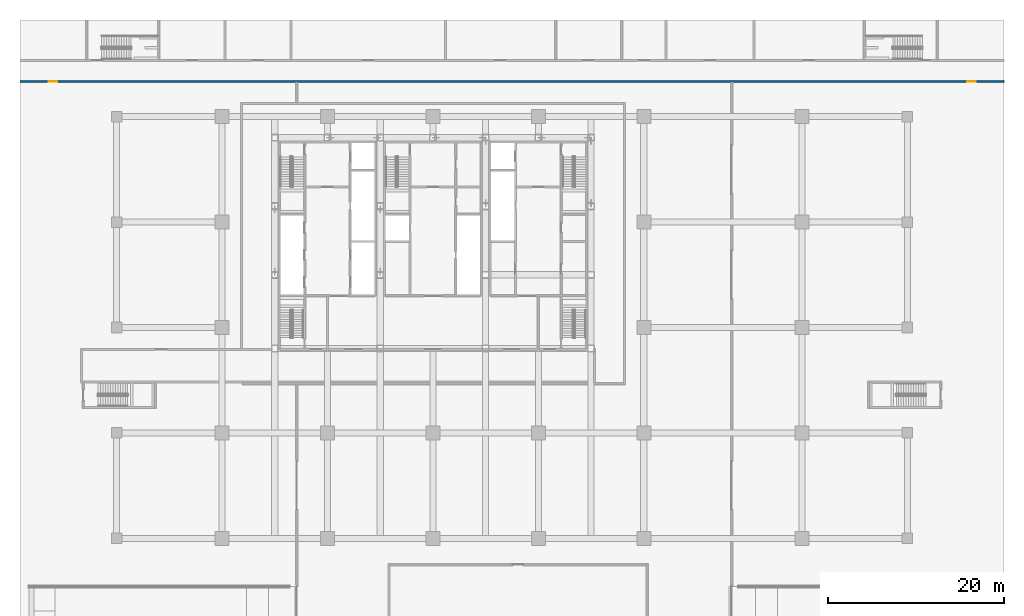
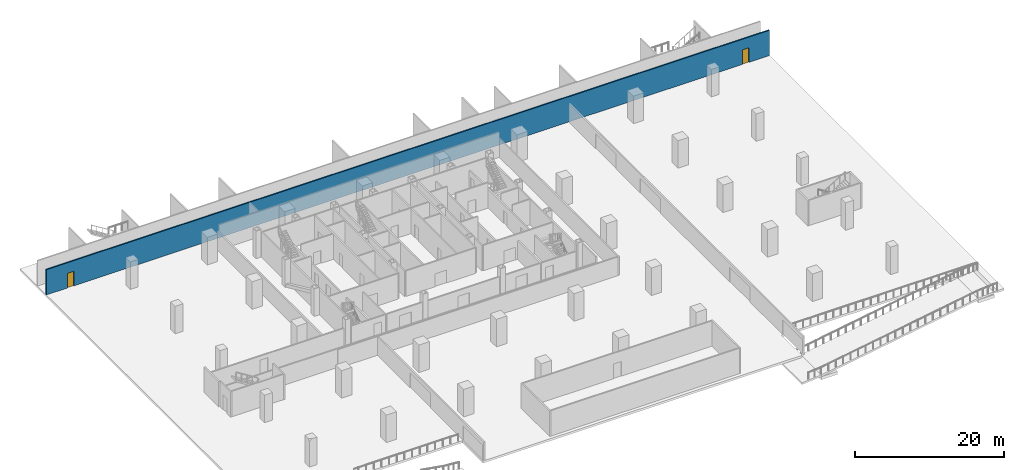
# One storey, part 6 of 15: 2 doors, 1 wall, 2 openings.
"""IFC4 building model written with IfcOpenShell, lengths in metres."""

from ifc_helpers import new_model, si_unit, direction, frame, frame_2d, origin, place, context, subcontext, project, spatial, rectangle, extrude, material, layer, layer_set, type_object, element, fill, save


model = new_model("IFC4")

# Units and contexts
model_context = context("Model", 3, precision=1e-05, world=origin(), true_north=direction((0.0, 1.0)))
body_context = subcontext(model_context, "Body", "Model", "MODEL_VIEW")
ifc_project = project(units=[si_unit("LENGTHUNIT", "METRE"), si_unit("AREAUNIT", "SQUARE_METRE"), si_unit("VOLUMEUNIT", "CUBIC_METRE"), si_unit("PLANEANGLEUNIT", "RADIAN"), si_unit("MASSUNIT", "GRAM", prefix="KILO")], contexts=[model_context])

# Site, building, storey
site_placement = place(None, origin())
site = spatial("IfcSite", under=ifc_project, at=site_placement, CompositionType="ELEMENT")
building_placement = place(site_placement, origin())
building = spatial("IfcBuilding", under=site, at=building_placement, Name="Sorahane Residences", CompositionType="ELEMENT")
storey_placement = place(building_placement, frame((0.0, 0.0, -4.5)))
storey = spatial("IfcBuildingStorey", under=building, at=storey_placement, Name="B1", CompositionType="ELEMENT", Elevation=-4.5)

# Wall, openings, doors
ifc_material_1 = material(Name="Concrete blockwork C20 wall", Category="masonry")
ifc_layer = layer(ifc_material_1, 0.199951171875)
ifc_layer_set = layer_set([ifc_layer], Name="Fire wall 200 EI 120")
wall_type = type_object("IfcWallType", Name="Fire wall 200 EI 120", PredefinedType="SOLIDWALL", material=ifc_layer_set)
wall_placement = place(storey_placement, frame((-23.0, 52.0, 0.0), z_axis=(0.0, 0.0, 1.0), x_axis=(1.0, 0.0, 0.0)))
wall = element("IfcWall", 1, at=wall_placement, inside=storey, type_object=wall_type, Name="B1 fire wall", PredefinedType="SOLIDWALL", context=body_context, shape_type="SweptSolid", body=[
    extrude(rectangle(XDim=112.0, YDim=0.199951171875, at=frame_2d((56.0, 0.0))), origin(), (0.0, 0.0, 1.0), 4.139892578125),
])
opening_1_placement = place(wall_placement, frame((3.25, 0.0, 0.0)))
opening_1 = element("IfcOpeningElement", 2, at=opening_1_placement, cuts=wall, Name="Opening B1-14", PredefinedType="OPENING", context=body_context, shape_type="SweptSolid", body=[
    extrude(rectangle(XDim=1.0, YDim=2.39990234375, at=frame_2d((0.5, 1.199951171875))), frame((0.0, 0.10986328125, 0.0), z_axis=(0.0, -1.0, 0.0), x_axis=(1.0, 0.0, 0.0)), (0.0, 0.0, 1.0), 0.219970703125),
])
opening_2_placement = place(wall_placement, frame((107.800048828125, 0.0, 0.0)))
opening_2 = element("IfcOpeningElement", 3, at=opening_2_placement, cuts=wall, Name="Opening B1-15", PredefinedType="OPENING", context=body_context, shape_type="SweptSolid", body=[
    extrude(rectangle(XDim=1.0, YDim=2.39990234375, at=frame_2d((0.5, 1.199951171875))), frame((0.0, 0.10986328125, 0.0), z_axis=(0.0, -1.0, 0.0), x_axis=(1.0, 0.0, 0.0)), (0.0, 0.0, 1.0), 0.219970703125),
])
ifc_material_2 = material(Name="Steel", Category="steel")
door_type = type_object("IfcDoorType", Name="Fire door 1000x2400 FD60", OperationType="NOTDEFINED", PredefinedType="DOOR", material=ifc_material_2)
door_1_placement = place(opening_1_placement, origin())
door_1 = element("IfcDoor", 4, at=door_1_placement, inside=storey, type_object=door_type, Name="Fire door B1-14", OperationType="SINGLE_SWING_RIGHT", OverallHeight=2.39990234375, OverallWidth=1.0, PredefinedType="DOOR", context=body_context, shape_type="SweptSolid", body=[
    extrude(rectangle(XDim=1.0, YDim=2.39990234375, at=frame_2d((0.5, 1.199951171875))), frame((0.0, 0.02490234375, 0.0), z_axis=(0.0, -1.0, 0.0), x_axis=(1.0, 0.0, 0.0)), (0.0, 0.0, 1.0), 0.050048828125),
])
fill(opening_1, door_1)
door_2_placement = place(opening_2_placement, frame((1.0, 0.0, 0.0), z_axis=(0.0, 0.0, 1.0), x_axis=(-1.0, 0.0, 0.0)))
door_2 = element("IfcDoor", 5, at=door_2_placement, inside=storey, type_object=door_type, Name="Fire door B1-15", OperationType="SINGLE_SWING_RIGHT", OverallHeight=2.39990234375, OverallWidth=1.0, PredefinedType="DOOR", context=body_context, shape_type="SweptSolid", body=[
    extrude(rectangle(XDim=1.0, YDim=2.39990234375, at=frame_2d((0.5, 1.199951171875))), frame((0.0, 0.02490234375, 0.0), z_axis=(0.0, -1.0, 0.0), x_axis=(1.0, 0.0, 0.0)), (0.0, 0.0, 1.0), 0.050048828125),
])
fill(opening_2, door_2)

save(model, "model.ifc")
